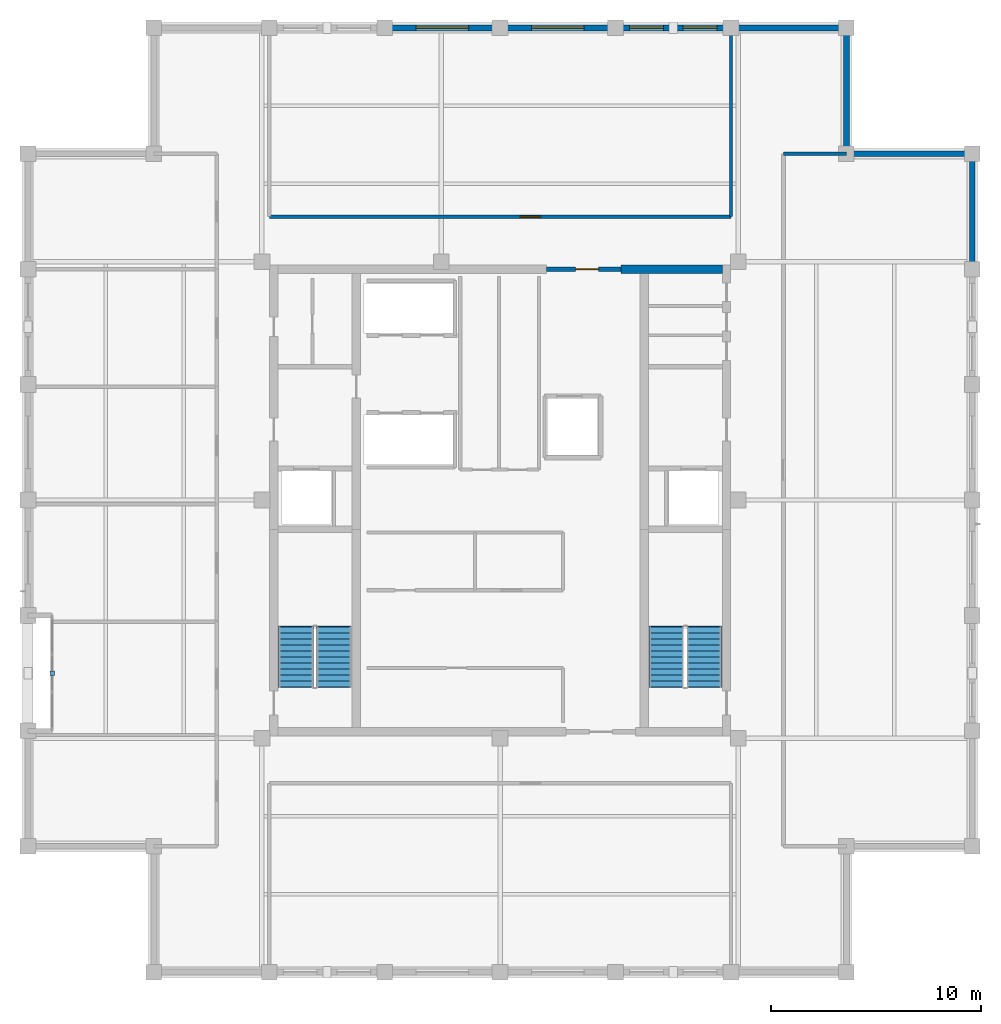
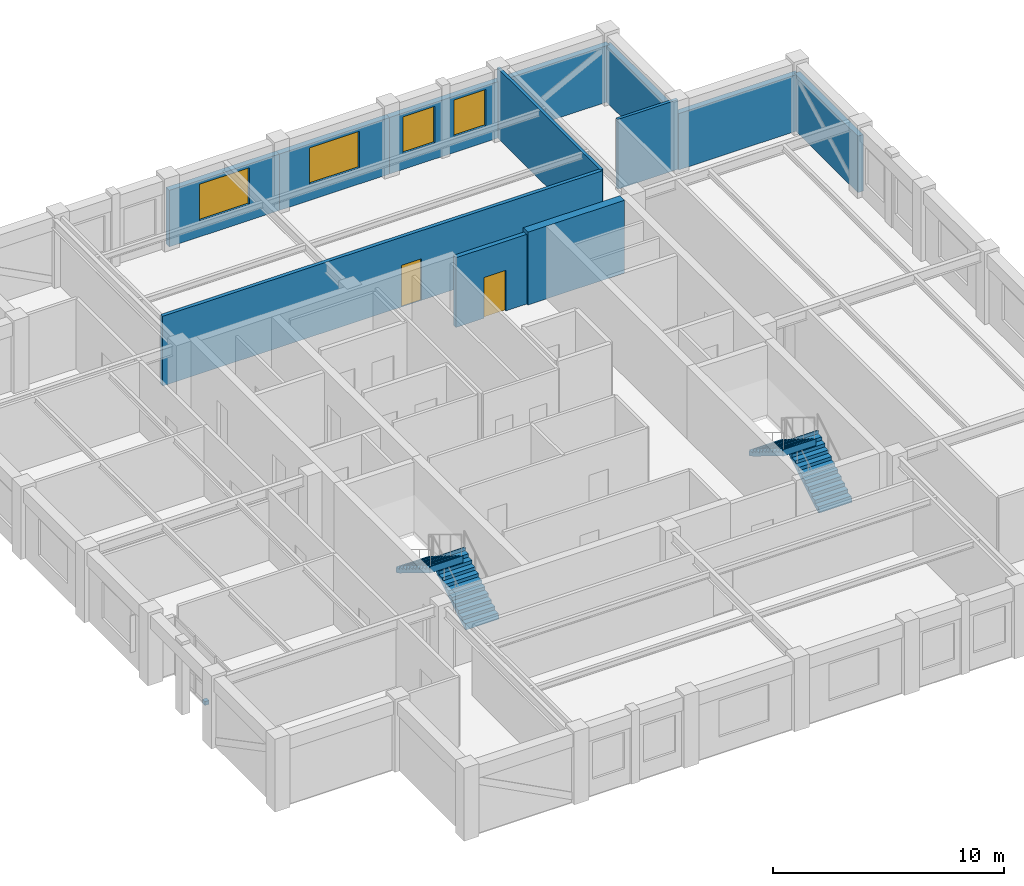
# One storey, part 12 of 13: 12 walls, 4 stair flights, 4 windows, 2 doors, 1 discrete accessory, 6 openings, 2 elements without a shape of their own.
"""IFC4 building model written with IfcOpenShell, lengths in metres."""

from ifc_helpers import new_model, si_unit, direction, frame, frame_2d, origin, origin_2d, place, context, subcontext, project, spatial, polyline, rectangle, outline, extrude, material, layer, layer_set, type_object, element, fill, aggregate, save


model = new_model("IFC4")

# Units and contexts
model_context = context("Model", 3, precision=1e-05, world=origin(), true_north=direction((0.0, 1.0)))
body_context = subcontext(model_context, "Body", "Model", "MODEL_VIEW")
ifc_project = project(units=[si_unit("LENGTHUNIT", "METRE"), si_unit("AREAUNIT", "SQUARE_METRE"), si_unit("VOLUMEUNIT", "CUBIC_METRE"), si_unit("PLANEANGLEUNIT", "RADIAN"), si_unit("MASSUNIT", "GRAM", prefix="KILO")], contexts=[model_context])

# Site, building, storey
site_placement = place(None, origin())
site = spatial("IfcSite", under=ifc_project, at=site_placement, CompositionType="ELEMENT")
building_placement = place(site_placement, origin())
building = spatial("IfcBuilding", under=site, at=building_placement, Name="Nhamokura Convention Tower", CompositionType="ELEMENT")
storey_placement = place(building_placement, frame((0.0, 0.0, 300.64990234375)))
storey = spatial("IfcBuildingStorey", under=building, at=storey_placement, Name="L74", CompositionType="ELEMENT", Elevation=300.64990234375)

# Wall, opening, window
ifc_material_1 = material(Name="Bronze-pigmented precast concrete C45/55", Category="concrete")
ifc_layer_1 = layer(ifc_material_1, 0.280029296875)
ifc_layer_set_1 = layer_set([ifc_layer_1], Name="BronzePrecastSpandrel_280")
wall_type_1 = type_object("IfcWallType", Name="BronzePrecastSpandrel_280", PredefinedType="USERDEFINED", material=ifc_layer_set_1)
wall_1_placement = place(storey_placement, frame((26.5, 54.5, 0.0), z_axis=(0.0, 0.0, 1.0), x_axis=(1.0, 0.0, 0.0)))
wall_1 = element("IfcWall", 1, at=wall_1_placement, inside=storey, type_object=wall_type_1, Name="L74 Masonry-Frame Wall NORTH 2", ObjectType="SPANDREL_WALL", PredefinedType="USERDEFINED", context=body_context, shape_type="SweptSolid", body=[
    extrude(rectangle(XDim=5.5, YDim=0.280029296875, at=frame_2d((2.75, 0.0))), origin(), (0.0, 0.0, 1.0), 2.985107421875),
])
opening_1_placement = place(wall_1_placement, frame((1.5, 0.0, 0.85009765625)))
opening_1 = element("IfcOpeningElement", 2, at=opening_1_placement, cuts=wall_1, Name="Opening W-09", PredefinedType="OPENING", context=body_context, shape_type="SweptSolid", body=[
    extrude(rectangle(XDim=2.5, YDim=1.93505859375, at=frame_2d((1.25, 0.967529296875))), frame((0.0, 0.14990234375, 0.0), z_axis=(0.0, -1.0, 0.0), x_axis=(1.0, 0.0, 0.0)), (0.0, 0.0, 1.0), 0.300048828125),
])
ifc_material_2 = material(Name="Solar-control bronze low-E double glass", Category="glass")
window_type_1 = type_object("IfcWindowType", Name="SummitWindow_Z4_2500", PartitioningType="DOUBLE_PANEL_VERTICAL", PredefinedType="WINDOW", material=ifc_material_2)
window_1_placement = place(opening_1_placement, origin())
window_1 = element("IfcWindow", 3, at=window_1_placement, inside=storey, type_object=window_type_1, Name="L74 Facade Window NORTH 2", OverallHeight=1.93505859375, OverallWidth=2.5, PartitioningType="SINGLE_PANEL", PredefinedType="WINDOW", context=body_context, shape_type="SweptSolid", body=[
    extrude(rectangle(XDim=2.5, YDim=1.93505859375, at=frame_2d((1.25, 0.967529296875))), frame((0.0, 0.030029296875, 0.0), z_axis=(0.0, -1.0, 0.0), x_axis=(1.0, 0.0, 0.0)), (0.0, 0.0, 1.0), 0.06005859375),
])
fill(opening_1, window_1)

wall_2_placement = place(storey_placement, frame((32.0, 54.5, 0.0), z_axis=(0.0, 0.0, 1.0), x_axis=(1.0, 0.0, 0.0)))
wall_2 = element("IfcWall", 4, at=wall_2_placement, inside=storey, type_object=wall_type_1, Name="L74 Masonry-Frame Wall NORTH 3", ObjectType="SPANDREL_WALL", PredefinedType="USERDEFINED", context=body_context, shape_type="SweptSolid", body=[
    extrude(rectangle(XDim=5.5, YDim=0.280029296875, at=frame_2d((2.75, 0.0))), origin(), (0.0, 0.0, 1.0), 2.985107421875),
])
opening_2_placement = place(wall_2_placement, frame((1.5, 0.0, 0.85009765625)))
opening_2 = element("IfcOpeningElement", 5, at=opening_2_placement, cuts=wall_2, Name="Opening W-09", PredefinedType="OPENING", context=body_context, shape_type="SweptSolid", body=[
    extrude(rectangle(XDim=2.5, YDim=1.93505859375, at=frame_2d((1.25, 0.967529296875))), frame((0.0, 0.14990234375, 0.0), z_axis=(0.0, -1.0, 0.0), x_axis=(1.0, 0.0, 0.0)), (0.0, 0.0, 1.0), 0.300048828125),
])
window_2_placement = place(opening_2_placement, origin())
window_2 = element("IfcWindow", 6, at=window_2_placement, inside=storey, type_object=window_type_1, Name="L74 Facade Window NORTH 3", OverallHeight=1.93505859375, OverallWidth=2.5, PartitioningType="SINGLE_PANEL", PredefinedType="WINDOW", context=body_context, shape_type="SweptSolid", body=[
    extrude(rectangle(XDim=2.5, YDim=1.93505859375, at=frame_2d((1.25, 0.967529296875))), frame((0.0, 0.030029296875, 0.0), z_axis=(0.0, -1.0, 0.0), x_axis=(1.0, 0.0, 0.0)), (0.0, 0.0, 1.0), 0.06005859375),
])
fill(opening_2, window_2)

# Wall, openings, windows
wall_3_placement = place(storey_placement, frame((37.5, 54.5, 0.0), z_axis=(0.0, 0.0, 1.0), x_axis=(1.0, 0.0, 0.0)))
wall_3 = element("IfcWall", 7, at=wall_3_placement, inside=storey, type_object=wall_type_1, Name="L74 Masonry-Frame Wall NORTH 4", ObjectType="SPANDREL_WALL", PredefinedType="USERDEFINED", context=body_context, shape_type="SweptSolid", body=[
    extrude(rectangle(XDim=5.5, YDim=0.280029296875, at=frame_2d((2.75, 0.0))), origin(), (0.0, 0.0, 1.0), 2.985107421875),
])
opening_3_placement = place(wall_3_placement, frame((0.675048828125, 0.0, 0.85009765625)))
opening_3 = element("IfcOpeningElement", 8, at=opening_3_placement, cuts=wall_3, Name="Opening W-11", PredefinedType="OPENING", context=body_context, shape_type="SweptSolid", body=[
    extrude(rectangle(XDim=1.60009765625, YDim=1.93505859375, at=frame_2d((0.800048828125, 0.967529296875))), frame((0.0, 0.14990234375, 0.0), z_axis=(0.0, -1.0, 0.0), x_axis=(1.0, 0.0, 0.0)), (0.0, 0.0, 1.0), 0.300048828125),
])
opening_4_placement = place(wall_3_placement, frame((3.22509765625, 0.0, 0.85009765625)))
opening_4 = element("IfcOpeningElement", 9, at=opening_4_placement, cuts=wall_3, Name="Opening W-11", PredefinedType="OPENING", context=body_context, shape_type="SweptSolid", body=[
    extrude(rectangle(XDim=1.60009765625, YDim=1.93505859375, at=frame_2d((0.800048828125, 0.967529296875))), frame((0.0, 0.14990234375, 0.0), z_axis=(0.0, -1.0, 0.0), x_axis=(1.0, 0.0, 0.0)), (0.0, 0.0, 1.0), 0.300048828125),
])
ifc_material_3 = material(Name="Solar-control bronze low-E double glass", Category="glass")
window_type_2 = type_object("IfcWindowType", Name="NotchCornerWindow_1600", PartitioningType="SINGLE_PANEL", PredefinedType="WINDOW", material=ifc_material_3)
window_3_placement = place(opening_3_placement, origin())
window_3 = element("IfcWindow", 10, at=window_3_placement, inside=storey, type_object=window_type_2, Name="L74 Facade Window NORTH 4-1", OverallHeight=1.93505859375, OverallWidth=1.60009765625, PartitioningType="SINGLE_PANEL", PredefinedType="WINDOW", context=body_context, shape_type="SweptSolid", body=[
    extrude(rectangle(XDim=1.60009765625, YDim=1.93505859375, at=frame_2d((0.800048828125, 0.967529296875))), frame((0.0, 0.030029296875, 0.0), z_axis=(0.0, -1.0, 0.0), x_axis=(1.0, 0.0, 0.0)), (0.0, 0.0, 1.0), 0.06005859375),
])
fill(opening_3, window_3)
window_4_placement = place(opening_4_placement, origin())
window_4 = element("IfcWindow", 11, at=window_4_placement, inside=storey, type_object=window_type_2, Name="L74 Facade Window NORTH 4-2", OverallHeight=1.93505859375, OverallWidth=1.60009765625, PartitioningType="SINGLE_PANEL", PredefinedType="WINDOW", context=body_context, shape_type="SweptSolid", body=[
    extrude(rectangle(XDim=1.60009765625, YDim=1.93505859375, at=frame_2d((0.800048828125, 0.967529296875))), frame((0.0, 0.030029296875, 0.0), z_axis=(0.0, -1.0, 0.0), x_axis=(1.0, 0.0, 0.0)), (0.0, 0.0, 1.0), 0.06005859375),
])
fill(opening_4, window_4)

# Walls
for number, where, z_axis, x_axis, name in (
    (12, (43.0, 54.5, 0.0), (0.0, 0.0, 1.0), (1.0, 0.0, 0.0), "L74 Braced-Bay Precast Wall NORTH 5"),
    (13, (54.5, 48.5, 0.0), (0.0, 0.0, 1.0), (0.0, -1.0, 0.0), "L74 Braced-Bay Precast Wall EAST 5"),
):
    element("IfcWall", number, at=place(storey_placement, frame(where, z_axis=z_axis, x_axis=x_axis)), inside=storey, type_object=wall_type_1, Name=name, ObjectType="SPANDREL_WALL", PredefinedType="USERDEFINED", context=body_context, shape_type="SweptSolid", body=[
        extrude(rectangle(XDim=5.5, YDim=0.280029296875, at=frame_2d((2.75, 0.0))), origin(), (0.0, 0.0, 1.0), 2.985107421875),
    ])
for number, where, z_axis, x_axis, name in (
    (14, (48.5, 48.5, 0.0), (0.0, 0.0, 1.0), (1.0, 0.0, 0.0), "L74 Notched Corner Wall NE1"),
    (15, (48.5, 54.5, 0.0), (0.0, 0.0, 1.0), (0.0, -1.0, 0.0), "L74 Notched Corner Wall NE2"),
):
    element("IfcWall", number, at=place(storey_placement, frame(where, z_axis=z_axis, x_axis=x_axis)), inside=storey, type_object=wall_type_1, Name=name, ObjectType="SPANDREL_WALL", PredefinedType="USERDEFINED", context=body_context, shape_type="SweptSolid", body=[
        extrude(rectangle(XDim=6.0, YDim=0.280029296875, at=frame_2d((3.0, 0.0))), origin(), (0.0, 0.0, 1.0), 2.985107421875),
    ])
ifc_material_4 = material(Name="Concrete C50/60", Category="concrete")
ifc_layer_2 = layer(ifc_material_4, 0.39990234375)
ifc_layer_set_2 = layer_set([ifc_layer_2], Name="CoreShearWall_400")
wall_type_2 = type_object("IfcWallType", Name="CoreShearWall_400", PredefinedType="SHEAR", material=ifc_layer_set_2)
wall_4_placement = place(storey_placement, frame((37.75, 43.0, 0.0), z_axis=(0.0, 0.0, 1.0), x_axis=(1.0, 0.0, 0.0)))
element("IfcWall", 16, at=wall_4_placement, inside=storey, type_object=wall_type_2, Name="L74 Core Shear Wall CW-N2", PredefinedType="SHEAR", context=body_context, shape_type="SweptSolid", body=[
    extrude(rectangle(XDim=4.840087890625, YDim=0.39990234375, at=frame_2d((2.419921875, 0.0))), origin(), (0.0, 0.0, 1.0), 3.85009765625),
])

# Wall, opening, door
ifc_material_5 = material(Name="Fire-rated gypsum and masonry partition", Category="masonry")
ifc_layer_3 = layer(ifc_material_5, 0.179931640625)
ifc_layer_set_3 = layer_set([ifc_layer_3], Name="CorridorRatedWall_180")
wall_type_3 = type_object("IfcWallType", Name="CorridorRatedWall_180", PredefinedType="STANDARD", material=ifc_layer_set_3)
wall_5_placement = place(storey_placement, frame((21.0, 45.5, 0.0), z_axis=(0.0, 0.0, 1.0), x_axis=(1.0, 0.0, 0.0)))
wall_5 = element("IfcWall", 17, at=wall_5_placement, inside=storey, type_object=wall_type_3, Name="L74 Wall INT-L74-CW-N00", PredefinedType="STANDARD", context=body_context, shape_type="SweptSolid", body=[
    extrude(rectangle(XDim=22.0, YDim=0.179931640625, at=frame_2d((11.0, 0.0))), origin(), (0.0, 0.0, 1.0), 3.68505859375),
])
opening_5_placement = place(wall_5_placement, frame((11.949951171875, 0.0, 0.0)))
opening_5 = element("IfcOpeningElement", 18, at=opening_5_placement, cuts=wall_5, Name="Opening D-08", PredefinedType="OPENING", context=body_context, shape_type="SweptSolid", body=[
    extrude(rectangle(XDim=0.97998046875, YDim=2.199951171875, at=frame_2d((0.489990234375, 1.10009765625))), frame((0.0, 0.099853515625, 0.0), z_axis=(0.0, -1.0, 0.0), x_axis=(1.0, 0.0, 0.0)), (0.0, 0.0, 1.0), 0.199951171875),
])
ifc_material_6 = material(Name="Solid oak hardwood", Category="wood")
door_type_1 = type_object("IfcDoorType", Name="OfficeEntryDoor_980", OperationType="NOTDEFINED", PredefinedType="DOOR", material=ifc_material_6)
door_1_placement = place(opening_5_placement, origin())
door_1 = element("IfcDoor", 19, at=door_1_placement, inside=storey, type_object=door_type_1, Name="L74 Executive Suite N01 Door", OperationType="SINGLE_SWING_LEFT", OverallHeight=2.199951171875, OverallWidth=0.97998046875, PredefinedType="DOOR", context=body_context, shape_type="SweptSolid", body=[
    extrude(rectangle(XDim=0.97998046875, YDim=2.199951171875, at=frame_2d((0.489990234375, 1.10009765625))), frame((0.0, 0.02490234375, 0.0), z_axis=(0.0, -1.0, 0.0), x_axis=(1.0, 0.0, 0.0)), (0.0, 0.0, 1.0), 0.050048828125),
])
fill(opening_5, door_1)

ifc_material_7 = material(Name="Autoclaved concrete blockwork", Category="masonry")
ifc_layer_4 = layer(ifc_material_7, 0.219970703125)
ifc_layer_set_4 = layer_set([ifc_layer_4], Name="FireLobbyWall_220")
wall_type_4 = type_object("IfcWallType", Name="FireLobbyWall_220", PredefinedType="STANDARD", material=ifc_layer_set_4)
wall_6_placement = place(storey_placement, frame((34.199951171875, 43.0, 0.0), z_axis=(0.0, 0.0, 1.0), x_axis=(1.0, 0.0, 0.0)))
wall_6 = element("IfcWall", 20, at=wall_6_placement, inside=storey, type_object=wall_type_4, Name="L74 Wall INT-L74-CPORT-N", PredefinedType="STANDARD", context=body_context, shape_type="SweptSolid", body=[
    extrude(rectangle(XDim=3.550048828125, YDim=0.219970703125, at=frame_2d((1.77490234375, 0.0))), origin(), (0.0, 0.0, 1.0), 3.68505859375),
])
opening_6_placement = place(wall_6_placement, frame((1.39990234375, 0.0, 0.0)))
opening_6 = element("IfcOpeningElement", 21, at=opening_6_placement, cuts=wall_6, Name="Opening D-05", PredefinedType="OPENING", context=body_context, shape_type="SweptSolid", body=[
    extrude(rectangle(XDim=1.10009765625, YDim=2.14990234375, at=frame_2d((0.550048828125, 1.074951171875))), frame((0.0, 0.119873046875, 0.0), z_axis=(0.0, -1.0, 0.0), x_axis=(1.0, 0.0, 0.0)), (0.0, 0.0, 1.0), 0.239990234375),
])
ifc_material_8 = material(Name="Fire-rated steel door", Category="steel")
door_type_2 = type_object("IfcDoorType", Name="FireLobbyDoor_1100", OperationType="NOTDEFINED", PredefinedType="DOOR", material=ifc_material_8)
door_2_placement = place(opening_6_placement, origin())
door_2 = element("IfcDoor", 22, at=door_2_placement, inside=storey, type_object=door_type_2, Name="L74 North Core Lobby Portal Door", OperationType="SINGLE_SWING_RIGHT", OverallHeight=2.14990234375, OverallWidth=1.10009765625, PredefinedType="DOOR", context=body_context, shape_type="SweptSolid", body=[
    extrude(rectangle(XDim=1.10009765625, YDim=2.14990234375, at=frame_2d((0.550048828125, 1.074951171875))), frame((0.0, 0.02490234375, 0.0), z_axis=(0.0, -1.0, 0.0), x_axis=(1.0, 0.0, 0.0)), (0.0, 0.0, 1.0), 0.050048828125),
])
fill(opening_6, door_2)

# Walls
ifc_material_9 = material(Name="Acoustic gypsum stud partition", Category="masonry")
ifc_layer_5 = layer(ifc_material_9, 0.14990234375)
ifc_layer_set_5 = layer_set([ifc_layer_5], Name="InteriorPartition_150")
wall_type_5 = type_object("IfcWallType", Name="InteriorPartition_150", PredefinedType="STANDARD", material=ifc_layer_set_5)
wall_7_placement = place(storey_placement, frame((43.0, 45.5, 0.0), z_axis=(0.0, 0.0, 1.0), x_axis=(0.0, 1.0, 0.0)))
element("IfcWall", 23, at=wall_7_placement, inside=storey, type_object=wall_type_5, Name="L74 Wall INT-L74-RWR-N", PredefinedType="STANDARD", context=body_context, shape_type="SweptSolid", body=[
    extrude(rectangle(XDim=8.93994140625, YDim=0.14990234375, at=frame_2d((4.469970703125, 0.0))), origin(), (0.0, 0.0, 1.0), 3.68505859375),
])
wall_8_placement = place(storey_placement, frame((45.5, 48.5, 0.0), z_axis=(0.0, 0.0, 1.0), x_axis=(1.0, 0.0, 0.0)))
element("IfcWall", 24, at=wall_8_placement, inside=storey, type_object=wall_type_5, Name="L74 Wall INT-L74-VSTP-EN", PredefinedType="STANDARD", context=body_context, shape_type="SweptSolid", body=[
    extrude(rectangle(XDim=3.0, YDim=0.14990234375, at=frame_2d((1.5, 0.0))), origin(), (0.0, 0.0, 1.0), 3.68505859375),
])

# Stair, stair flights
ifc_material_10 = material(Name="Concrete C40/50", Category="concrete")
stair_type = type_object("IfcStairType", Name="TowerCoreStair_1650", PredefinedType="HALF_TURN_STAIR", material=ifc_material_10)
stair_1_placement = place(storey_placement, origin())
stair_1 = element("IfcStair", 25, at=stair_1_placement, inside=storey, type_object=stair_type, Name="L74 West Core Smokeproof Stair ST-01", PredefinedType="HALF_TURN_STAIR")
ifc_material_11 = material(Name="Concrete C40/50", Category="concrete")
stair_flight_type = type_object("IfcStairFlightType", Name="TowerCoreStair_1650_Flight", PredefinedType="STRAIGHT", material=ifc_material_11)
stair_flight_1_placement = place(storey_placement, frame((24.074951171875, 23.10009765625, 0.0), z_axis=(0.0, 0.0, 1.0), x_axis=(0.0, 1.0, 0.0)))
stair_flight_1 = element("IfcStairFlight", 26, at=stair_flight_1_placement, type_object=stair_flight_type, Name="ST-01 flight 1", NumberOfRisers=11, NumberOfTreads=10, PredefinedType="STRAIGHT", RiserHeight=0.175, TreadLength=0.285, context=body_context, shape_type="SweptSolid", body=[
    extrude(outline(polyline([(-0.0419921875, 0.0), (0.0, 0.175048828125), (0.284912109375, 0.175048828125), (0.284912109375, 0.35009765625), (0.570068359375, 0.35009765625), (0.570068359375, 0.52490234375), (0.85498046875, 0.52490234375), (0.85498046875, 0.699951171875), (1.139892578125, 0.699951171875), (1.139892578125, 0.875), (1.425048828125, 0.875), (1.425048828125, 1.050048828125), (1.7099609375, 1.050048828125), (1.7099609375, 1.22509765625), (1.9951171875, 1.22509765625), (1.9951171875, 1.39990234375), (2.280029296875, 1.39990234375), (2.280029296875, 1.574951171875), (2.56494140625, 1.574951171875), (2.56494140625, 1.75), (2.85009765625, 1.75), (2.85009765625, 1.925048828125), (2.89208984375, 1.925048828125), (2.89208984375, 1.573974609375), (2.85009765625, 1.573974609375), (0.286376953125, 0.0), (0.02001953125, -0.1298828125), (-0.0419921875, -0.1298828125), (-0.0419921875, 0.0)])), frame((0.0, 0.824951171875, 0.0), z_axis=(0.0, -1.0, 0.0), x_axis=(1.0, 0.0, 0.0)), (0.0, 0.0, 1.0), 1.64990234375),
])
stair_flight_2_placement = place(storey_placement, frame((22.27490234375, 25.949951171875, 1.925048828125), z_axis=(0.0, 0.0, 1.0), x_axis=(0.0, -1.0, 0.0)))
stair_flight_2 = element("IfcStairFlight", 27, at=stair_flight_2_placement, type_object=stair_flight_type, Name="ST-01 flight 2", NumberOfRisers=11, NumberOfTreads=10, PredefinedType="STRAIGHT", RiserHeight=0.175, TreadLength=0.285, context=body_context, shape_type="SweptSolid", body=[
    extrude(outline(polyline([(-0.0419921875, 0.0), (0.0, 0.175048828125), (0.284912109375, 0.175048828125), (0.284912109375, 0.35009765625), (0.570068359375, 0.35009765625), (0.570068359375, 0.52490234375), (0.85498046875, 0.52490234375), (0.85498046875, 0.699951171875), (1.139892578125, 0.699951171875), (1.139892578125, 0.875), (1.425048828125, 0.875), (1.425048828125, 1.050048828125), (1.7099609375, 1.050048828125), (1.7099609375, 1.22509765625), (1.9951171875, 1.22509765625), (1.9951171875, 1.39990234375), (2.280029296875, 1.39990234375), (2.280029296875, 1.574951171875), (2.56494140625, 1.574951171875), (2.56494140625, 1.75), (2.85009765625, 1.75), (2.85009765625, 1.925048828125), (2.89208984375, 1.925048828125), (2.89208984375, 1.573974609375), (2.85009765625, 1.573974609375), (0.286376953125, 0.0), (0.02001953125, -0.1298828125), (-0.0419921875, -0.1298828125), (-0.0419921875, 0.0)])), frame((0.0, 0.824951171875, 0.0), z_axis=(0.0, -1.0, 0.0), x_axis=(1.0, 0.0, 0.0)), (0.0, 0.0, 1.0), 1.64990234375),
])
aggregate(stair_1, [stair_flight_1, stair_flight_2])

stair_2_placement = place(storey_placement, origin())
stair_2 = element("IfcStair", 28, at=stair_2_placement, inside=storey, type_object=stair_type, Name="L74 East Core Smokeproof Stair ST-02", PredefinedType="HALF_TURN_STAIR")
stair_flight_3_placement = place(storey_placement, frame((41.72509765625, 23.10009765625, 0.0), z_axis=(0.0, 0.0, 1.0), x_axis=(0.0, 1.0, 0.0)))
stair_flight_3 = element("IfcStairFlight", 29, at=stair_flight_3_placement, type_object=stair_flight_type, Name="ST-02 flight 1", NumberOfRisers=11, NumberOfTreads=10, PredefinedType="STRAIGHT", RiserHeight=0.175, TreadLength=0.285, context=body_context, shape_type="SweptSolid", body=[
    extrude(outline(polyline([(-0.0419921875, 0.0), (0.0, 0.175048828125), (0.284912109375, 0.175048828125), (0.284912109375, 0.35009765625), (0.570068359375, 0.35009765625), (0.570068359375, 0.52490234375), (0.85498046875, 0.52490234375), (0.85498046875, 0.699951171875), (1.139892578125, 0.699951171875), (1.139892578125, 0.875), (1.425048828125, 0.875), (1.425048828125, 1.050048828125), (1.7099609375, 1.050048828125), (1.7099609375, 1.22509765625), (1.9951171875, 1.22509765625), (1.9951171875, 1.39990234375), (2.280029296875, 1.39990234375), (2.280029296875, 1.574951171875), (2.56494140625, 1.574951171875), (2.56494140625, 1.75), (2.85009765625, 1.75), (2.85009765625, 1.925048828125), (2.89208984375, 1.925048828125), (2.89208984375, 1.573974609375), (2.85009765625, 1.573974609375), (0.286376953125, 0.0), (0.02001953125, -0.1298828125), (-0.0419921875, -0.1298828125), (-0.0419921875, 0.0)])), frame((0.0, 0.824951171875, 0.0), z_axis=(0.0, -1.0, 0.0), x_axis=(1.0, 0.0, 0.0)), (0.0, 0.0, 1.0), 1.64990234375),
])
stair_flight_4_placement = place(storey_placement, frame((39.925048828125, 25.949951171875, 1.925048828125), z_axis=(0.0, 0.0, 1.0), x_axis=(0.0, -1.0, 0.0)))
stair_flight_4 = element("IfcStairFlight", 30, at=stair_flight_4_placement, type_object=stair_flight_type, Name="ST-02 flight 2", NumberOfRisers=11, NumberOfTreads=10, PredefinedType="STRAIGHT", RiserHeight=0.175, TreadLength=0.285, context=body_context, shape_type="SweptSolid", body=[
    extrude(outline(polyline([(-0.0419921875, 0.0), (0.0, 0.175048828125), (0.284912109375, 0.175048828125), (0.284912109375, 0.35009765625), (0.570068359375, 0.35009765625), (0.570068359375, 0.52490234375), (0.85498046875, 0.52490234375), (0.85498046875, 0.699951171875), (1.139892578125, 0.699951171875), (1.139892578125, 0.875), (1.425048828125, 0.875), (1.425048828125, 1.050048828125), (1.7099609375, 1.050048828125), (1.7099609375, 1.22509765625), (1.9951171875, 1.22509765625), (1.9951171875, 1.39990234375), (2.280029296875, 1.39990234375), (2.280029296875, 1.574951171875), (2.56494140625, 1.574951171875), (2.56494140625, 1.75), (2.85009765625, 1.75), (2.85009765625, 1.925048828125), (2.89208984375, 1.925048828125), (2.89208984375, 1.573974609375), (2.85009765625, 1.573974609375), (0.286376953125, 0.0), (0.02001953125, -0.1298828125), (-0.0419921875, -0.1298828125), (-0.0419921875, 0.0)])), frame((0.0, 0.824951171875, 0.0), z_axis=(0.0, -1.0, 0.0), x_axis=(1.0, 0.0, 0.0)), (0.0, 0.0, 1.0), 1.64990234375),
])
aggregate(stair_2, [stair_flight_3, stair_flight_4])

# Discrete accessory
ifc_material_12 = material(Name="Steel ASTM A572 Gr 50", Category="steel")
discrete_accessory_type = type_object("IfcDiscreteAccessoryType", Name="FacadeOutstandBracket", PredefinedType="BRACKET", material=ifc_material_12)
discrete_accessory_placement = place(storey_placement, frame((10.64990234375, 23.75, -0.02001953125), z_axis=(0.0, 0.0, 1.0), x_axis=(1.0, 0.0, 0.0)))
element("IfcDiscreteAccessory", 31, at=discrete_accessory_placement, inside=storey, type_object=discrete_accessory_type, Name="L74 Scale Slot Base Shoe Bracket WEST 1", PredefinedType="BRACKET", context=body_context, shape_type="SweptSolid", body=[
    extrude(rectangle(XDim=0.219970703125, YDim=0.219970703125, at=origin_2d()), origin(), (0.0, 0.0, 1.0), 0.199951171875),
])

save(model, "model.ifc")
